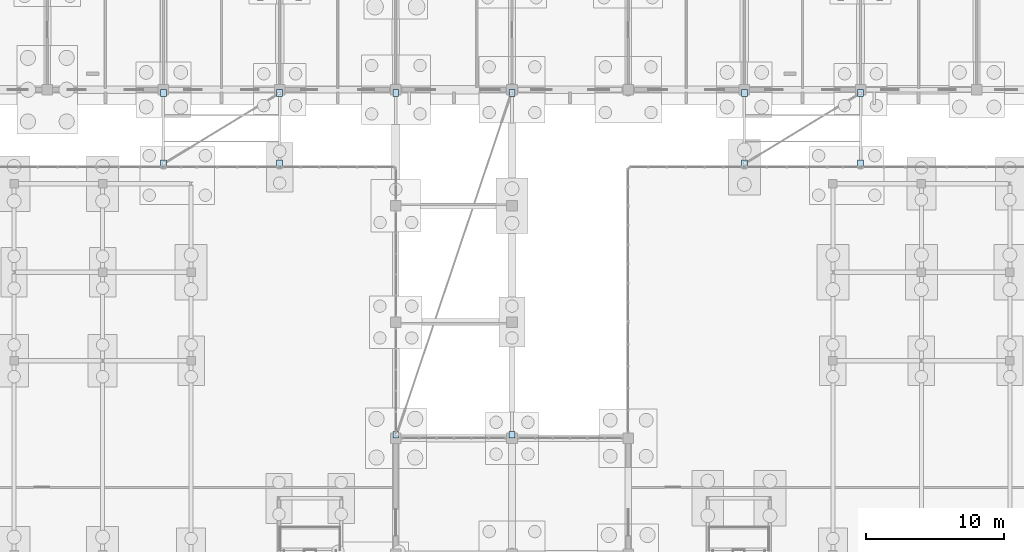
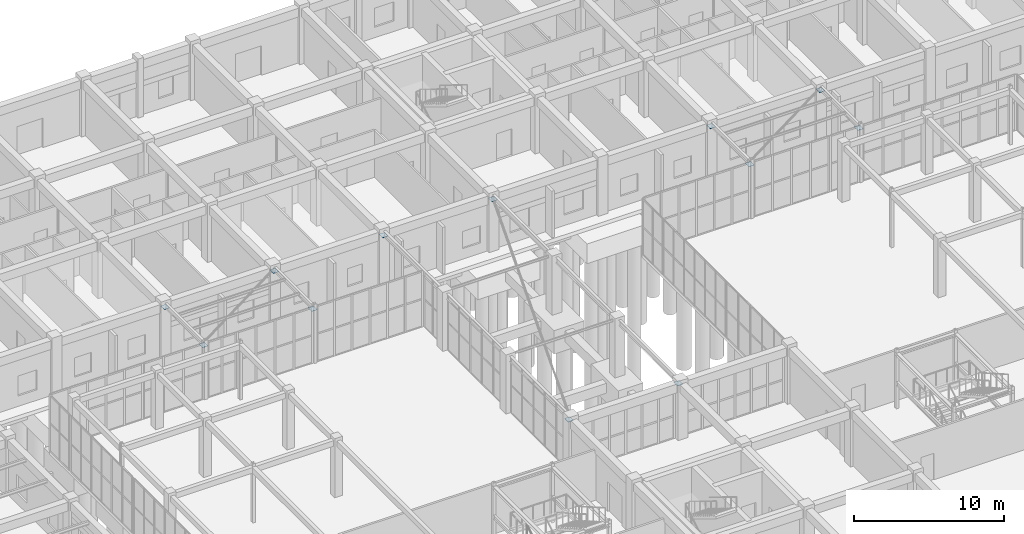
# One storey, part 147 of 192: 12 plates.
"""IFC4 building model written with IfcOpenShell, lengths in metres."""

from ifc_helpers import new_model, si_unit, direction, frame, origin, origin_2d, place, context, subcontext, project, spatial, rectangle, extrude, material, layer, layer_set, type_object, element, save


model = new_model("IFC4")

# Units and contexts
model_context = context("Model", 3, precision=1e-05, world=origin(), true_north=direction((0.0, 1.0)))
body_context = subcontext(model_context, "Body", "Model", "MODEL_VIEW")
ifc_project = project(units=[si_unit("LENGTHUNIT", "METRE"), si_unit("AREAUNIT", "SQUARE_METRE"), si_unit("VOLUMEUNIT", "CUBIC_METRE"), si_unit("PLANEANGLEUNIT", "RADIAN"), si_unit("MASSUNIT", "GRAM", prefix="KILO")], contexts=[model_context])

# Site, building, storey
site_placement = place(None, origin())
site = spatial("IfcSite", under=ifc_project, at=site_placement, CompositionType="ELEMENT")
building_placement = place(site_placement, origin())
building = spatial("IfcBuilding", under=site, at=building_placement, Name="Trelvath General Hospital", CompositionType="ELEMENT")
storey_placement = place(building_placement, origin())
storey = spatial("IfcBuildingStorey", under=building, at=storey_placement, Name="L00", CompositionType="ELEMENT", Elevation=0.0)

# Plates
ifc_material = material(Name="Steel S355", Category="steel")
ifc_layer = layer(ifc_material, 0.01611328125)
ifc_layer_set = layer_set([ifc_layer], Name="Steel S355")
plate_type = type_object("IfcPlateType", Name="BearingPlate Steel16", PredefinedType="SHEET", material=ifc_layer_set)
for number, where, z_axis, x_axis, name in (
    (1, (75.60009765625, 67.449951171875, 4.14404296875), (0.0, 0.0, 1.0), (1.0, 0.0, 0.0), "Bridge Sliding Seat Plate BRG-N-C W-S L01"),
    (2, (75.60009765625, 92.14990234375, 4.14404296875), (0.0, 0.0, 1.0), (1.0, 0.0, 0.0), "Bridge Sliding Seat Plate BRG-N-C W-N L01"),
    (3, (84.0, 67.449951171875, 4.14404296875), (0.0, 0.0, 1.0), (1.0, 0.0, 0.0), "Bridge Sliding Seat Plate BRG-N-C E-S L01"),
    (4, (84.0, 92.14990234375, 4.14404296875), (0.0, 0.0, 1.0), (1.0, 0.0, 0.0), "Bridge Sliding Seat Plate BRG-N-C E-N L01"),
    (5, (58.800048828125, 87.050048828125, 4.19384765625), (0.0, 0.0, 1.0), (1.0, 0.0, 0.0), "Bridge Sliding Seat Plate BRG-N-W W-S L01"),
    (6, (58.800048828125, 92.14990234375, 4.19384765625), (0.0, 0.0, 1.0), (1.0, 0.0, 0.0), "Bridge Sliding Seat Plate BRG-N-W W-N L01"),
    (7, (67.199951171875, 87.050048828125, 4.19384765625), (0.0, 0.0, 1.0), (1.0, 0.0, 0.0), "Bridge Sliding Seat Plate BRG-N-W E-S L01"),
    (8, (67.199951171875, 92.14990234375, 4.19384765625), (0.0, 0.0, 1.0), (1.0, 0.0, 0.0), "Bridge Sliding Seat Plate BRG-N-W E-N L01"),
    (9, (100.800048828125, 87.050048828125, 4.19384765625), (0.0, 0.0, 1.0), (1.0, 0.0, 0.0), "Bridge Sliding Seat Plate BRG-N-E W-S L01"),
    (10, (100.800048828125, 92.14990234375, 4.19384765625), (0.0, 0.0, 1.0), (1.0, 0.0, 0.0), "Bridge Sliding Seat Plate BRG-N-E W-N L01"),
    (11, (109.199951171875, 87.050048828125, 4.19384765625), (0.0, 0.0, 1.0), (1.0, 0.0, 0.0), "Bridge Sliding Seat Plate BRG-N-E E-S L01"),
    (12, (109.199951171875, 92.14990234375, 4.19384765625), (0.0, 0.0, 1.0), (1.0, 0.0, 0.0), "Bridge Sliding Seat Plate BRG-N-E E-N L01"),
):
    element("IfcPlate", number, at=place(storey_placement, frame(where, z_axis=z_axis, x_axis=x_axis)), inside=storey, type_object=plate_type, Name=name, PredefinedType="SHEET", context=body_context, shape_type="SweptSolid", body=[
        extrude(rectangle(XDim=0.419921875, YDim=0.5, at=origin_2d()), origin(), (0.0, 0.0, 1.0), 0.01611328125),
    ])

save(model, "model.ifc")
